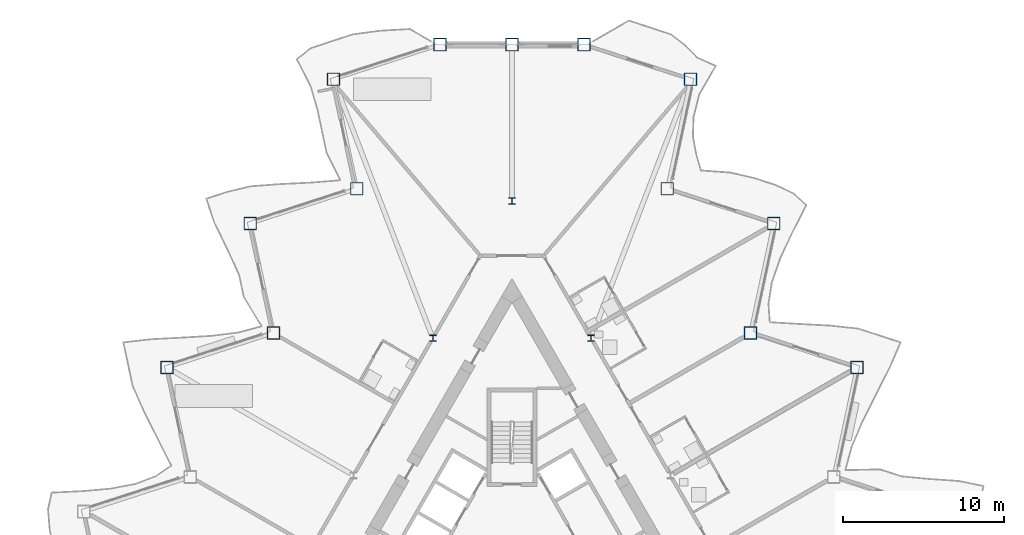
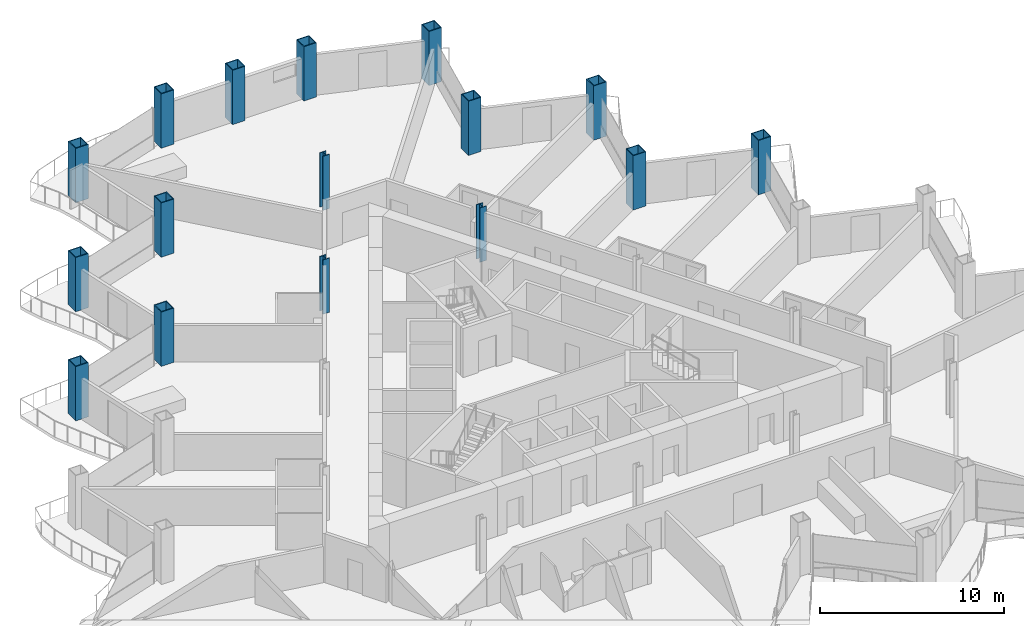
# One storey, part 2 of 24: 16 columns.
"""IFC4 building model written with IfcOpenShell, lengths in metres."""

from ifc_helpers import new_model, si_unit, direction, frame, origin, origin_2d, place, context, subcontext, project, spatial, hollow_rectangle, i_section, extrude, material, material_profile, profile_set, type_object, element, save


model = new_model("IFC4")

# Units and contexts
model_context = context("Model", 3, precision=1e-05, world=origin(), true_north=direction((0.0, 1.0)))
body_context = subcontext(model_context, "Body", "Model", "MODEL_VIEW")
ifc_project = project(units=[si_unit("LENGTHUNIT", "METRE"), si_unit("AREAUNIT", "SQUARE_METRE"), si_unit("VOLUMEUNIT", "CUBIC_METRE"), si_unit("PLANEANGLEUNIT", "RADIAN"), si_unit("MASSUNIT", "GRAM", prefix="KILO")], contexts=[model_context])

# Site, building, storey
site_placement = place(None, origin())
site = spatial("IfcSite", under=ifc_project, at=site_placement, CompositionType="ELEMENT")
building_placement = place(site_placement, origin())
building = spatial("IfcBuilding", under=site, at=building_placement, Name="Cormorant Prow Tower", CompositionType="ELEMENT")
storey_placement = place(building_placement, frame((0.0, 0.0, 205.199951171875)))
storey = spatial("IfcBuildingStorey", under=building, at=storey_placement, Name="L45", CompositionType="ELEMENT", Elevation=205.199951171875)

# Columns
ifc_material_1 = material(Name="Structural steel ASTM A572 Gr 50", Category="steel")
ifc_material_profile_1 = material_profile(ifc_material_1, hollow_rectangle(XDim=0.800048828125, YDim=0.800048828125, WallThickness=0.050048828125, at=origin_2d()), Name="Box 800x800x50")
ifc_profile_set_1 = profile_set([ifc_material_profile_1], Name="Structural steel ASTM A572 Gr 50")
column_type_1 = type_object("IfcColumnType", Name="Perimeter box column 800x800x50", PredefinedType="COLUMN", material=ifc_profile_set_1)
for number, where, z_axis, x_axis, name in (
    (1, (21.409423828125, 12.36083984375, 0.0), (0.0, 0.0, 1.0), (1.0, 0.0, 0.0), "Perimeter column C4 at ENE05 L45"),
    (2, (14.7998046875, 14.50830078125, 0.0), (0.0, 0.0, 1.0), (1.0, 0.0, 0.0), "Perimeter column C4 at ENE06 L45"),
    (3, (16.244873046875, 21.306396484375, 0.0), (0.0, 0.0, 1.0), (1.0, 0.0, 0.0), "Perimeter column C4 at ENE07 L45"),
    (4, (9.63525390625, 23.453857421875, 0.0), (0.0, 0.0, 1.0), (1.0, 0.0, 0.0), "Perimeter column C4 at ENE08 L45"),
    (5, (11.080078125, 30.251953125, 0.0), (0.0, 0.0, 1.0), (1.0, 0.0, 0.0), "Perimeter column C4 at ENE09 L45"),
    (6, (4.470458984375, 32.3994140625, 0.0), (0.0, 0.0, 1.0), (1.0, 0.0, 0.0), "Perimeter column C4 at N00 L45"),
    (7, (0.0, 32.3994140625, 0.0), (0.0, 0.0, 1.0), (1.0, 0.0, 0.0), "Perimeter column C4 at N01 L45"),
    (8, (-4.470458984375, 32.3994140625, 0.0), (0.0, 0.0, 1.0), (1.0, 0.0, 0.0), "Perimeter column C4 at WNW00 L45"),
    (9, (-11.080078125, 30.251953125, 0.0), (0.0, 0.0, 1.0), (1.0, 0.0, 0.0), "Perimeter column C4 at WNW01 L45"),
    (10, (-9.63525390625, 23.453857421875, 0.0), (0.0, 0.0, 1.0), (1.0, 0.0, 0.0), "Perimeter column C4 at WNW02 L45"),
    (11, (-16.244873046875, 21.306396484375, 0.0), (0.0, 0.0, 1.0), (1.0, 0.0, 0.0), "Perimeter column C4 at WNW03 L45"),
    (12, (-14.7998046875, 14.50830078125, 0.0), (0.0, 0.0, 1.0), (1.0, 0.0, 0.0), "Perimeter column C4 at WNW04 L45"),
    (13, (-21.409423828125, 12.36083984375, 0.0), (0.0, 0.0, 1.0), (1.0, 0.0, 0.0), "Perimeter column C4 at WNW05 L45"),
):
    element("IfcColumn", number, at=place(storey_placement, frame(where, z_axis=z_axis, x_axis=x_axis)), inside=storey, type_object=column_type_1, Name=name, PredefinedType="COLUMN", context=body_context, shape_type="SweptSolid", body=[
        extrude(hollow_rectangle(XDim=0.800048828125, YDim=0.800048828125, WallThickness=0.050048828125, at=origin_2d()), origin(), (0.0, 0.0, 1.0), 3.60009765625),
    ])
ifc_material_2 = material(Name="Structural steel ASTM A992 Gr 50", Category="steel")
ifc_material_profile_2 = material_profile(ifc_material_2, i_section(OverallWidth=0.403564453125, OverallDepth=0.407470703125, WebThickness=0.027099609375, FlangeThickness=0.043701171875, at=origin_2d()), Name="W14x233")
ifc_profile_set_2 = profile_set([ifc_material_profile_2], Name="Structural steel ASTM A992 Gr 50")
column_type_2 = type_object("IfcColumnType", Name="Ring column W14x233", PredefinedType="COLUMN", material=ifc_profile_set_2)
for number, where, z_axis, x_axis, name in (
    (14, (0.0, 22.69775390625, 0.0), (0.0, 0.0, 1.0), (1.0, 0.0, 0.0), "Ring column 1 L45"),
    (15, (-4.914306640625, 14.186279296875, 0.0), (0.0, 0.0, 1.0), (1.0, 0.0, 0.0), "Ring column 2 L45"),
    (16, (4.914306640625, 14.186279296875, 0.0), (0.0, 0.0, 1.0), (1.0, 0.0, 0.0), "Ring column 12 L45"),
):
    element("IfcColumn", number, at=place(storey_placement, frame(where, z_axis=z_axis, x_axis=x_axis)), inside=storey, type_object=column_type_2, Name=name, PredefinedType="COLUMN", context=body_context, shape_type="SweptSolid", body=[
        extrude(i_section(OverallWidth=0.403564453125, OverallDepth=0.407470703125, WebThickness=0.027099609375, FlangeThickness=0.043701171875, at=origin_2d()), origin(), (0.0, 0.0, 1.0), 3.60009765625),
    ])

save(model, "model.ifc")
